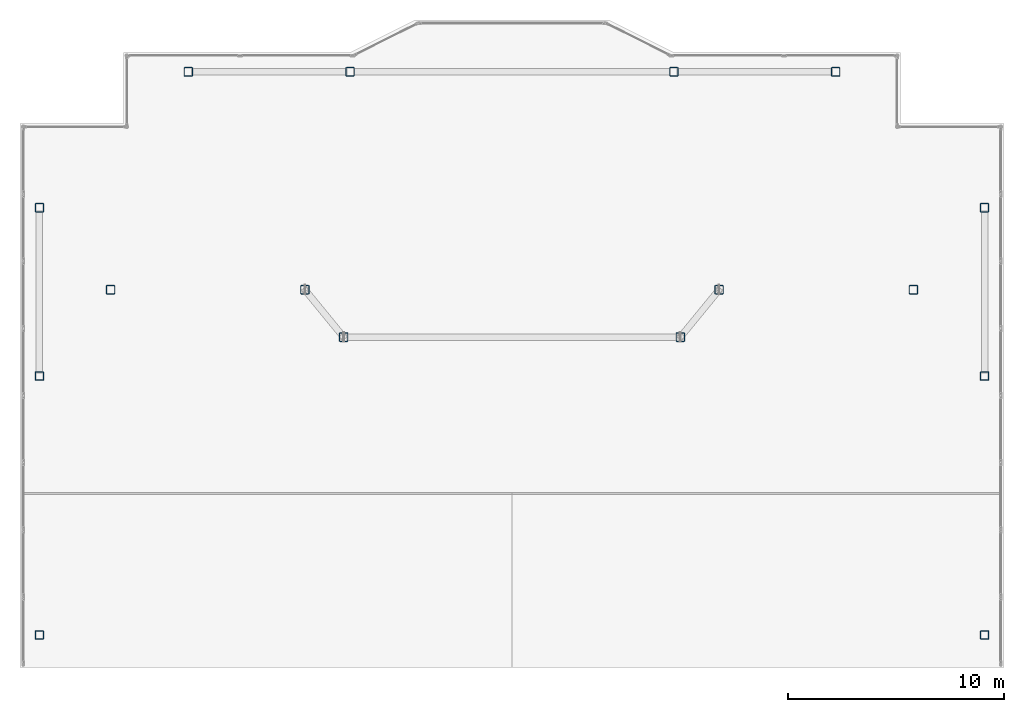
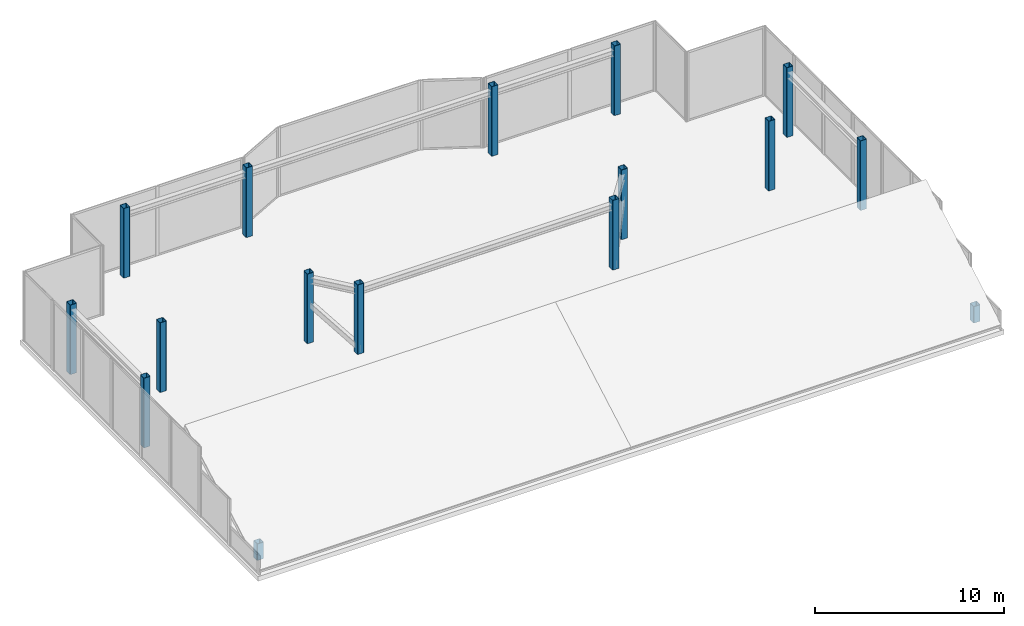
# One storey, part 1 of 12: 16 columns.
"""IFC4 building model written with IfcOpenShell, lengths in metres."""

from ifc_helpers import new_model, si_unit, direction, frame, origin, origin_2d, place, context, subcontext, project, spatial, hollow_rectangle, extrude, material, material_profile, profile_set, type_object, element, save


model = new_model("IFC4")

# Units and contexts
model_context = context("Model", 3, precision=1e-05, world=origin(), true_north=direction((0.0, 1.0)))
body_context = subcontext(model_context, "Body", "Model", "MODEL_VIEW")
ifc_project = project(units=[si_unit("LENGTHUNIT", "METRE"), si_unit("AREAUNIT", "SQUARE_METRE"), si_unit("VOLUMEUNIT", "CUBIC_METRE"), si_unit("PLANEANGLEUNIT", "RADIAN"), si_unit("MASSUNIT", "GRAM", prefix="KILO")], contexts=[model_context])

# Site, building, storey
site_placement = place(None, origin())
site = spatial("IfcSite", under=ifc_project, at=site_placement, CompositionType="ELEMENT")
building_placement = place(site_placement, origin())
building = spatial("IfcBuilding", under=site, at=building_placement, Name="Tarnavaz Court Tower", CompositionType="ELEMENT")
storey_placement = place(building_placement, frame((0.0, 0.0, 299.550048828125)))
storey = spatial("IfcBuildingStorey", under=building, at=storey_placement, Name="C05", CompositionType="ELEMENT", Elevation=299.550048828125)

# Columns
ifc_material = material(Name="Steel S355", Category="steel")
ifc_material_profile = material_profile(ifc_material, hollow_rectangle(XDim=0.39990234375, YDim=0.39990234375, WallThickness=0.02001953125, InnerFilletRadius=0.02001953125, OuterFilletRadius=0.0400390625, at=origin_2d()), Name="SHS 400X400X20")
ifc_profile_set = profile_set([ifc_material_profile], Name="Steel S355")
column_type = type_object("IfcColumnType", Name="CL-CR-SHS300", PredefinedType="USERDEFINED", material=ifc_profile_set)
for number, where, z_axis, x_axis, name in (
    (1, (-7.800048828125, 7.800048828125, 0.0), (0.0, 0.0, 1.0), (1.0, 0.0, 0.0), "C05 Column IW-NW"),
    (2, (7.800048828125, 7.800048828125, 0.0), (0.0, 0.0, 1.0), (1.0, 0.0, 0.0), "C05 Column IW-NE"),
    (3, (-9.60009765625, 10.0, 0.0), (0.0, 0.0, 1.0), (1.0, 0.0, 0.0), "C05 Column CW-NI"),
    (4, (9.60009765625, 10.0, 0.0), (0.0, 0.0, 1.0), (1.0, 0.0, 0.0), "C05 Column CE-NI"),
    (5, (-18.60009765625, 10.0, 0.0), (0.0, 0.0, 1.0), (1.0, 0.0, 0.0), "C05 Column CW-NO"),
    (6, (18.60009765625, 10.0, 0.0), (0.0, 0.0, 1.0), (1.0, 0.0, 0.0), "C05 Column CE-NO"),
    (7, (-15.0, 20.10009765625, 0.0), (0.0, 0.0, 1.0), (1.0, 0.0, 0.0), "C05 Column PN-1"),
    (8, (-7.5, 20.10009765625, 0.0), (0.0, 0.0, 1.0), (1.0, 0.0, 0.0), "C05 Column PN-2"),
    (9, (7.5, 20.10009765625, 0.0), (0.0, 0.0, 1.0), (1.0, 0.0, 0.0), "C05 Column PN-3"),
    (10, (15.0, 20.10009765625, 0.0), (0.0, 0.0, 1.0), (1.0, 0.0, 0.0), "C05 Column PN-4"),
):
    element("IfcColumn", number, at=place(storey_placement, frame(where, z_axis=z_axis, x_axis=x_axis)), inside=storey, type_object=column_type, Name=name, ObjectType="CROWN FRAME", PredefinedType="USERDEFINED", context=body_context, shape_type="SweptSolid", body=[
        extrude(hollow_rectangle(XDim=0.39990234375, YDim=0.39990234375, WallThickness=0.02001953125, InnerFilletRadius=0.02001953125, OuterFilletRadius=0.0400390625, at=origin_2d()), origin(), (0.0, 0.0, 1.0), 4.5),
    ])
column_1_placement = place(storey_placement, frame((21.89990234375, -6.0, 0.0), z_axis=(0.0, 0.0, 1.0), x_axis=(1.0, 0.0, 0.0)))
element("IfcColumn", 11, at=column_1_placement, inside=storey, type_object=column_type, Name="C05 Column PE-2", ObjectType="CROWN FRAME", PredefinedType="USERDEFINED", context=body_context, shape_type="SweptSolid", body=[
    extrude(hollow_rectangle(XDim=0.39990234375, YDim=0.39990234375, WallThickness=0.02001953125, InnerFilletRadius=0.02001953125, OuterFilletRadius=0.0400390625, at=origin_2d()), origin(), (0.0, 0.0, 1.0), 1.071533203125),
])
for number, where, z_axis, x_axis, name in (
    (12, (21.89990234375, 6.0, 0.0), (0.0, 0.0, 1.0), (1.0, 0.0, 0.0), "C05 Column PE-3"),
    (13, (21.89990234375, 13.800048828125, 0.0), (0.0, 0.0, 1.0), (1.0, 0.0, 0.0), "C05 Column PE-4"),
):
    element("IfcColumn", number, at=place(storey_placement, frame(where, z_axis=z_axis, x_axis=x_axis)), inside=storey, type_object=column_type, Name=name, ObjectType="CROWN FRAME", PredefinedType="USERDEFINED", context=body_context, shape_type="SweptSolid", body=[
        extrude(hollow_rectangle(XDim=0.39990234375, YDim=0.39990234375, WallThickness=0.02001953125, InnerFilletRadius=0.02001953125, OuterFilletRadius=0.0400390625, at=origin_2d()), origin(), (0.0, 0.0, 1.0), 4.5),
    ])
column_2_placement = place(storey_placement, frame((-21.89990234375, -6.0, 0.0), z_axis=(0.0, 0.0, 1.0), x_axis=(1.0, 0.0, 0.0)))
element("IfcColumn", 14, at=column_2_placement, inside=storey, type_object=column_type, Name="C05 Column PW-2", ObjectType="CROWN FRAME", PredefinedType="USERDEFINED", context=body_context, shape_type="SweptSolid", body=[
    extrude(hollow_rectangle(XDim=0.39990234375, YDim=0.39990234375, WallThickness=0.02001953125, InnerFilletRadius=0.02001953125, OuterFilletRadius=0.0400390625, at=origin_2d()), origin(), (0.0, 0.0, 1.0), 1.071533203125),
])
for number, where, z_axis, x_axis, name in (
    (15, (-21.89990234375, 6.0, 0.0), (0.0, 0.0, 1.0), (1.0, 0.0, 0.0), "C05 Column PW-3"),
    (16, (-21.89990234375, 13.800048828125, 0.0), (0.0, 0.0, 1.0), (1.0, 0.0, 0.0), "C05 Column PW-4"),
):
    element("IfcColumn", number, at=place(storey_placement, frame(where, z_axis=z_axis, x_axis=x_axis)), inside=storey, type_object=column_type, Name=name, ObjectType="CROWN FRAME", PredefinedType="USERDEFINED", context=body_context, shape_type="SweptSolid", body=[
        extrude(hollow_rectangle(XDim=0.39990234375, YDim=0.39990234375, WallThickness=0.02001953125, InnerFilletRadius=0.02001953125, OuterFilletRadius=0.0400390625, at=origin_2d()), origin(), (0.0, 0.0, 1.0), 4.5),
    ])

save(model, "model.ifc")
